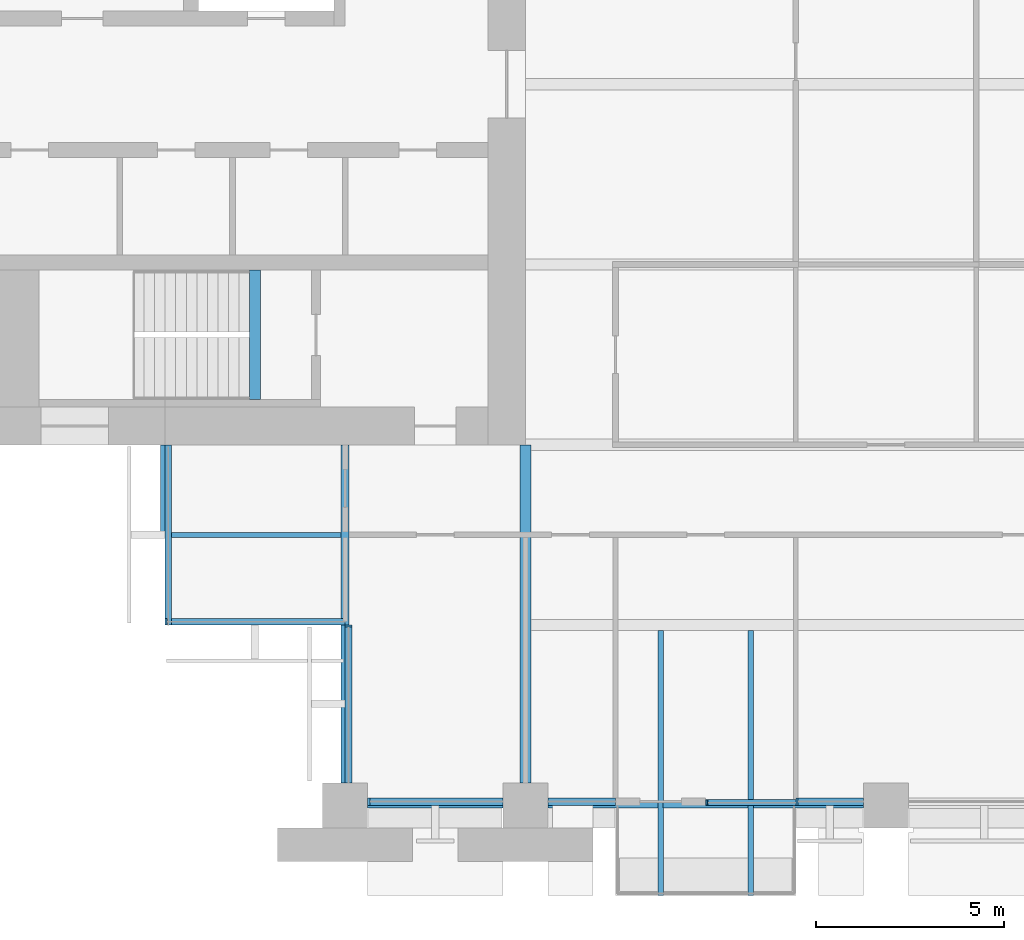
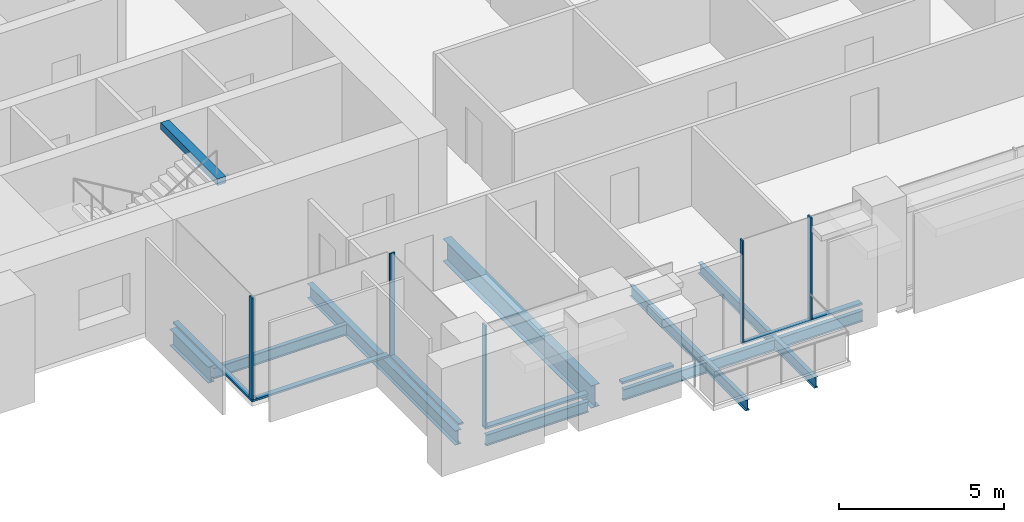
# One storey, part 2 of 15: 12 members, 11 beams, 6 elements without a shape of their own.
"""IFC4 building model written with IfcOpenShell, lengths in metres."""

from ifc_helpers import new_model, si_unit, direction, frame, origin, origin_2d, place, context, subcontext, project, spatial, rectangle, i_section, extrude, material, material_profile, profile_set, type_object, element, aggregate, save


model = new_model("IFC4")

# Units and contexts
model_context = context("Model", 3, precision=1e-05, world=origin(), true_north=direction((0.0, 1.0)))
body_context = subcontext(model_context, "Body", "Model", "MODEL_VIEW")
ifc_project = project(units=[si_unit("LENGTHUNIT", "METRE"), si_unit("AREAUNIT", "SQUARE_METRE"), si_unit("VOLUMEUNIT", "CUBIC_METRE"), si_unit("PLANEANGLEUNIT", "RADIAN"), si_unit("MASSUNIT", "GRAM", prefix="KILO")], contexts=[model_context])

# Site, building, storey
site_placement = place(None, origin())
site = spatial("IfcSite", under=ifc_project, at=site_placement, CompositionType="ELEMENT")
building_placement = place(site_placement, origin())
building = spatial("IfcBuilding", under=site, at=building_placement, Name="Baori Bourse Tower", CompositionType="ELEMENT")
storey_placement = place(building_placement, frame((0.0, 0.0, 128.10009765625)))
storey = spatial("IfcBuildingStorey", under=building, at=storey_placement, Name="L27", CompositionType="ELEMENT", Elevation=128.10009765625)

# Beams
ifc_material_1 = material(Name="Steel A992 Gr 50", Category="steel")
ifc_material_profile_1 = material_profile(ifc_material_1, i_section(OverallWidth=0.140380859375, OverallDepth=0.40380859375, WebThickness=0.007080078125, FlangeThickness=0.01123046875, at=origin_2d()), Name="W16x31")
ifc_profile_set_1 = profile_set([ifc_material_profile_1], Name="Steel A992 Gr 50")
beam_type_1 = type_object("IfcBeamType", Name="Balcony beam W16x31", PredefinedType="BEAM", material=ifc_profile_set_1)
for number, where, z_axis, x_axis, name in (
    (1, (22.800048828125, -2.39990234375, -0.362060546875), (0.0, 1.0, 0.0), (-1.0, 0.0, 0.0), "Balcony beam L27"),
    (2, (25.199951171875, -2.39990234375, -0.362060546875), (0.0, 1.0, 0.0), (-1.0, 0.0, 0.0), "Balcony beam L27"),
):
    element("IfcBeam", number, at=place(storey_placement, frame(where, z_axis=z_axis, x_axis=x_axis)), inside=storey, type_object=beam_type_1, Name=name, PredefinedType="BEAM", context=body_context, shape_type="SweptSolid", body=[
        extrude(i_section(OverallWidth=0.140380859375, OverallDepth=0.40380859375, WebThickness=0.007080078125, FlangeThickness=0.01123046875, at=origin_2d()), origin(), (0.0, 0.0, 1.0), 7.050048828125),
    ])

# Curtain wall, member
ifc_material_2 = material(Name="Pale anodised aluminium", Category="aluminium")
curtain_wall_type_1 = type_object("IfcCurtainWallType", Name="CW1 Curtain wall", PredefinedType="NOTDEFINED", material=ifc_material_2)
curtain_wall_1_placement = place(storey_placement, origin())
curtain_wall_1 = element("IfcCurtainWall", 3, at=curtain_wall_1_placement, inside=storey, type_object=curtain_wall_type_1, Name="Curtain wall CW1 L27 13", PredefinedType="NOTDEFINED")
ifc_material_3 = material(Name="Pale anodised aluminium", Category="aluminium")
ifc_material_profile_2 = material_profile(ifc_material_3, rectangle(XDim=0.199951171875, YDim=0.06005859375, at=origin_2d()), Name="Mullion 60x200")
ifc_profile_set_2 = profile_set([ifc_material_profile_2], Name="Pale anodised aluminium")
member_type_1 = type_object("IfcMemberType", Name="CW1 Curtain wall mullion", PredefinedType="MULLION", material=ifc_profile_set_2)
member_1_placement = place(storey_placement, frame((15.030029296875, 0.10009765625, 0.079833984375), z_axis=(0.0, 0.0, 1.0), x_axis=(0.0, 1.0, 0.0)))
member_1 = element("IfcMember", 4, at=member_1_placement, type_object=member_type_1, Name="Curtain wall CW1 mullion", PredefinedType="MULLION", context=body_context, shape_type="SweptSolid", body=[
    extrude(rectangle(XDim=0.199951171875, YDim=0.06005859375, at=origin_2d()), origin(), (0.0, 0.0, 1.0), 3.760009765625),
])

curtain_wall_2_placement = place(storey_placement, origin())
curtain_wall_2 = element("IfcCurtainWall", 5, at=curtain_wall_2_placement, inside=storey, type_object=curtain_wall_type_1, Name="Curtain wall CW1 L27 15", PredefinedType="NOTDEFINED")
member_2_placement = place(storey_placement, frame((26.429931640625, 0.10009765625, 0.079833984375), z_axis=(0.0, 0.0, 1.0), x_axis=(0.0, 1.0, 0.0)))
member_2 = element("IfcMember", 6, at=member_2_placement, type_object=member_type_1, Name="Curtain wall CW1 mullion", PredefinedType="MULLION", context=body_context, shape_type="SweptSolid", body=[
    extrude(rectangle(XDim=0.199951171875, YDim=0.06005859375, at=origin_2d()), origin(), (0.0, 0.0, 1.0), 3.760009765625),
])

# Member
ifc_material_4 = material(Name="Pale anodised aluminium", Category="aluminium")
ifc_material_profile_3 = material_profile(ifc_material_4, rectangle(XDim=0.199951171875, YDim=0.080078125, at=origin_2d()), Name="Transom 80x200")
ifc_profile_set_3 = profile_set([ifc_material_profile_3], Name="Pale anodised aluminium")
member_type_2 = type_object("IfcMemberType", Name="CW1 Curtain wall transom", PredefinedType="USERDEFINED", material=ifc_profile_set_3)
member_3_placement = place(storey_placement, frame((15.0, 0.10009765625, 0.039794921875), z_axis=(1.0, 0.0, 0.0), x_axis=(0.0, 1.0, 0.0)))
member_3 = element("IfcMember", 7, at=member_3_placement, type_object=member_type_2, Name="Curtain wall CW1 sill rail", ObjectType="TRANSOM", PredefinedType="USERDEFINED", context=body_context, shape_type="SweptSolid", body=[
    extrude(rectangle(XDim=0.199951171875, YDim=0.080078125, at=origin_2d()), origin(), (0.0, 0.0, 1.0), 3.60009765625),
])

member_4_placement = place(storey_placement, frame((19.800048828125, 0.10009765625, 0.039794921875), z_axis=(1.0, 0.0, 0.0), x_axis=(0.0, 1.0, 0.0)))
member_4 = element("IfcMember", 8, at=member_4_placement, type_object=member_type_2, Name="Curtain wall CW1 sill rail", ObjectType="TRANSOM", PredefinedType="USERDEFINED", context=body_context, shape_type="SweptSolid", body=[
    extrude(rectangle(XDim=0.199951171875, YDim=0.080078125, at=origin_2d()), origin(), (0.0, 0.0, 1.0), 1.800048828125),
])

aggregate(curtain_wall_1, [member_3, member_1, member_4])

member_5_placement = place(storey_placement, frame((26.39990234375, 0.10009765625, 0.039794921875), z_axis=(1.0, 0.0, 0.0), x_axis=(0.0, 1.0, 0.0)))
member_5 = element("IfcMember", 9, at=member_5_placement, type_object=member_type_2, Name="Curtain wall CW1 sill rail", ObjectType="TRANSOM", PredefinedType="USERDEFINED", context=body_context, shape_type="SweptSolid", body=[
    extrude(rectangle(XDim=0.199951171875, YDim=0.080078125, at=origin_2d()), origin(), (0.0, 0.0, 1.0), 1.800048828125),
])

aggregate(curtain_wall_2, [member_5, member_2])

# Curtain wall, member
ifc_material_5 = material(Name="Pale anodised aluminium", Category="aluminium")
curtain_wall_type_2 = type_object("IfcCurtainWallType", Name="CW2 Curtain wall", PredefinedType="NOTDEFINED", material=ifc_material_5)
curtain_wall_3_placement = place(storey_placement, origin())
curtain_wall_3 = element("IfcCurtainWall", 10, at=curtain_wall_3_placement, inside=storey, type_object=curtain_wall_type_2, Name="Curtain wall CW2 L27 11", PredefinedType="NOTDEFINED")
ifc_material_6 = material(Name="Pale anodised aluminium", Category="aluminium")
ifc_material_profile_4 = material_profile(ifc_material_6, rectangle(XDim=0.179931640625, YDim=0.054931640625, at=origin_2d()), Name="Mullion 55x180")
ifc_profile_set_4 = profile_set([ifc_material_profile_4], Name="Pale anodised aluminium")
member_type_3 = type_object("IfcMemberType", Name="CW2 Curtain wall mullion", PredefinedType="MULLION", material=ifc_profile_set_4)
member_6_placement = place(storey_placement, frame((9.62744140625, 4.889892578125, 0.06982421875), z_axis=(0.0, 0.0, 1.0), x_axis=(0.0, 1.0, 0.0)))
member_6 = element("IfcMember", 11, at=member_6_placement, type_object=member_type_3, Name="Curtain wall CW2 mullion", PredefinedType="MULLION", context=body_context, shape_type="SweptSolid", body=[
    extrude(rectangle(XDim=0.179931640625, YDim=0.054931640625, at=origin_2d()), origin(), (0.0, 0.0, 1.0), 3.77001953125),
])

curtain_wall_4_placement = place(storey_placement, origin())
curtain_wall_4 = element("IfcCurtainWall", 12, at=curtain_wall_4_placement, inside=storey, type_object=curtain_wall_type_2, Name="Curtain wall CW2 L27 12", PredefinedType="NOTDEFINED")
member_7_placement = place(storey_placement, frame((14.489990234375, 4.7724609375, 0.06982421875), z_axis=(0.0, 0.0, 1.0), x_axis=(1.0, 0.0, 0.0)))
member_7 = element("IfcMember", 13, at=member_7_placement, type_object=member_type_3, Name="Curtain wall CW2 mullion", PredefinedType="MULLION", context=body_context, shape_type="SweptSolid", body=[
    extrude(rectangle(XDim=0.179931640625, YDim=0.054931640625, at=origin_2d()), origin(), (0.0, 0.0, 1.0), 3.77001953125),
])

curtain_wall_5_placement = place(storey_placement, origin())
curtain_wall_5 = element("IfcCurtainWall", 14, at=curtain_wall_5_placement, inside=storey, type_object=curtain_wall_type_2, Name="Curtain wall CW2 L27 10", PredefinedType="NOTDEFINED")
ifc_material_7 = material(Name="Pale anodised aluminium", Category="aluminium")
ifc_material_profile_5 = material_profile(ifc_material_7, rectangle(XDim=0.179931640625, YDim=0.070068359375, at=origin_2d()), Name="Transom 70x180")
ifc_profile_set_5 = profile_set([ifc_material_profile_5], Name="Pale anodised aluminium")
member_type_4 = type_object("IfcMemberType", Name="CW2 Curtain wall transom", PredefinedType="USERDEFINED", material=ifc_profile_set_5)
member_8_placement = place(storey_placement, frame((9.68994140625, 9.60009765625, 0.034912109375), z_axis=(0.0, -1.0, 0.0), x_axis=(1.0, 0.0, 0.0)))
member_8 = element("IfcMember", 15, at=member_8_placement, type_object=member_type_4, Name="Curtain wall CW2 sill rail", ObjectType="TRANSOM", PredefinedType="USERDEFINED", context=body_context, shape_type="SweptSolid", body=[
    extrude(rectangle(XDim=0.179931640625, YDim=0.070068359375, at=origin_2d()), origin(), (0.0, 0.0, 1.0), 4.800048828125),
])
aggregate(curtain_wall_5, [member_8])

# Member
member_9_placement = place(storey_placement, frame((9.60009765625, 4.889892578125, 0.034912109375), z_axis=(1.0, 0.0, 0.0), x_axis=(0.0, 1.0, 0.0)))
member_9 = element("IfcMember", 16, at=member_9_placement, type_object=member_type_4, Name="Curtain wall CW2 sill rail", ObjectType="TRANSOM", PredefinedType="USERDEFINED", context=body_context, shape_type="SweptSolid", body=[
    extrude(rectangle(XDim=0.179931640625, YDim=0.070068359375, at=origin_2d()), origin(), (0.0, 0.0, 1.0), 4.7998046875),
])

aggregate(curtain_wall_3, [member_9, member_6])

member_10_placement = place(storey_placement, frame((14.489990234375, 4.800048828125, 0.034912109375), z_axis=(0.0, -1.0, 0.0), x_axis=(1.0, 0.0, 0.0)))
member_10 = element("IfcMember", 17, at=member_10_placement, type_object=member_type_4, Name="Curtain wall CW2 sill rail", ObjectType="TRANSOM", PredefinedType="USERDEFINED", context=body_context, shape_type="SweptSolid", body=[
    extrude(rectangle(XDim=0.179931640625, YDim=0.070068359375, at=origin_2d()), origin(), (0.0, 0.0, 1.0), 4.199951171875),
])

aggregate(curtain_wall_4, [member_10, member_7])

# Curtain wall, members
ifc_material_8 = material(Name="Pale anodised aluminium", Category="aluminium")
curtain_wall_type_3 = type_object("IfcCurtainWallType", Name="CW6 Curtain wall", PredefinedType="NOTDEFINED", material=ifc_material_8)
curtain_wall_6_placement = place(storey_placement, origin())
curtain_wall_6 = element("IfcCurtainWall", 18, at=curtain_wall_6_placement, inside=storey, type_object=curtain_wall_type_3, Name="Curtain wall CW6 L27 14", PredefinedType="NOTDEFINED")
ifc_material_9 = material(Name="Pale anodised aluminium", Category="aluminium")
ifc_material_profile_6 = material_profile(ifc_material_9, rectangle(XDim=0.14990234375, YDim=0.050048828125, at=origin_2d()), Name="Mullion 50x150")
ifc_profile_set_6 = profile_set([ifc_material_profile_6], Name="Pale anodised aluminium")
member_type_5 = type_object("IfcMemberType", Name="CW6 Curtain wall mullion", PredefinedType="MULLION", material=ifc_profile_set_6)
member_11_placement = place(storey_placement, frame((24.02490234375, 0.074951171875, 0.06494140625), z_axis=(0.0, 0.0, 1.0), x_axis=(0.0, 1.0, 0.0)))
member_11 = element("IfcMember", 19, at=member_11_placement, type_object=member_type_5, Name="Curtain wall CW6 mullion", PredefinedType="MULLION", context=body_context, shape_type="SweptSolid", body=[
    extrude(rectangle(XDim=0.14990234375, YDim=0.050048828125, at=origin_2d()), origin(), (0.0, 0.0, 1.0), 3.77490234375),
])
ifc_material_10 = material(Name="Pale anodised aluminium", Category="aluminium")
ifc_material_profile_7 = material_profile(ifc_material_10, rectangle(XDim=0.14990234375, YDim=0.06494140625, at=origin_2d()), Name="Transom 65x150")
ifc_profile_set_7 = profile_set([ifc_material_profile_7], Name="Pale anodised aluminium")
member_type_6 = type_object("IfcMemberType", Name="CW6 Curtain wall transom", PredefinedType="USERDEFINED", material=ifc_profile_set_7)
member_12_placement = place(storey_placement, frame((24.0, 0.074951171875, 0.032470703125), z_axis=(1.0, 0.0, 0.0), x_axis=(0.0, 1.0, 0.0)))
member_12 = element("IfcMember", 20, at=member_12_placement, type_object=member_type_6, Name="Curtain wall CW6 sill rail", ObjectType="TRANSOM", PredefinedType="USERDEFINED", context=body_context, shape_type="SweptSolid", body=[
    extrude(rectangle(XDim=0.14990234375, YDim=0.06494140625, at=origin_2d()), origin(), (0.0, 0.0, 1.0), 2.39990234375),
])
aggregate(curtain_wall_6, [member_12, member_11])

# Beams
ifc_material_11 = material(Name="Steel A992 Gr 50", Category="steel")
ifc_material_profile_8 = material_profile(ifc_material_11, i_section(OverallWidth=0.227783203125, OverallDepth=0.60205078125, WebThickness=0.010498046875, FlangeThickness=0.014892578125, at=origin_2d()), Name="W24x68")
ifc_profile_set_8 = profile_set([ifc_material_profile_8], Name="Steel A992 Gr 50")
beam_type_2 = type_object("IfcBeamType", Name="Core bracket W24x68", PredefinedType="BEAM", material=ifc_profile_set_8)
beam_1_placement = place(storey_placement, frame((9.60009765625, 7.270263671875, -0.461181640625), z_axis=(0.0, 1.0, 0.0), x_axis=(-1.0, 0.0, 0.0)))
element("IfcBeam", 21, at=beam_1_placement, inside=storey, type_object=beam_type_2, Name="Core bracket L27", PredefinedType="BEAM", context=body_context, shape_type="SweptSolid", body=[
    extrude(i_section(OverallWidth=0.227783203125, OverallDepth=0.60205078125, WebThickness=0.010498046875, FlangeThickness=0.014892578125, at=origin_2d()), origin(), (0.0, 0.0, 1.0), 2.329833984375),
])
ifc_material_12 = material(Name="Steel A992 Gr 50", Category="steel")
ifc_material_profile_9 = material_profile(ifc_material_12, i_section(OverallWidth=0.140380859375, OverallDepth=0.40380859375, WebThickness=0.007080078125, FlangeThickness=0.01123046875, at=origin_2d()), Name="W16x31")
ifc_profile_set_9 = profile_set([ifc_material_profile_9], Name="Steel A992 Gr 50")
beam_type_3 = type_object("IfcBeamType", Name="Edge beam W16x31", PredefinedType="BEAM", material=ifc_profile_set_9)
beam_2_placement = place(storey_placement, frame((15.0, 0.0, -0.362060546875), z_axis=(1.0, 0.0, 0.0), x_axis=(0.0, 1.0, 0.0)))
element("IfcBeam", 22, at=beam_2_placement, inside=storey, type_object=beam_type_3, Name="Edge beam L27", PredefinedType="BEAM", context=body_context, shape_type="SweptSolid", body=[
    extrude(i_section(OverallWidth=0.140380859375, OverallDepth=0.40380859375, WebThickness=0.007080078125, FlangeThickness=0.01123046875, at=origin_2d()), origin(), (0.0, 0.0, 1.0), 3.60009765625),
])
beam_3_placement = place(storey_placement, frame((19.800048828125, 0.0, -0.362060546875), z_axis=(1.0, 0.0, 0.0), x_axis=(0.0, 1.0, 0.0)))
element("IfcBeam", 23, at=beam_3_placement, inside=storey, type_object=beam_type_3, Name="Edge beam L27", PredefinedType="BEAM", context=body_context, shape_type="SweptSolid", body=[
    extrude(i_section(OverallWidth=0.140380859375, OverallDepth=0.40380859375, WebThickness=0.007080078125, FlangeThickness=0.01123046875, at=origin_2d()), origin(), (0.0, 0.0, 1.0), 2.9296875),
])
beam_4_placement = place(storey_placement, frame((22.8701171875, 0.0, -0.362060546875), z_axis=(1.0, 0.0, 0.0), x_axis=(0.0, 1.0, 0.0)))
element("IfcBeam", 24, at=beam_4_placement, inside=storey, type_object=beam_type_3, Name="Edge beam L27", PredefinedType="BEAM", context=body_context, shape_type="SweptSolid", body=[
    extrude(i_section(OverallWidth=0.140380859375, OverallDepth=0.40380859375, WebThickness=0.007080078125, FlangeThickness=0.01123046875, at=origin_2d()), origin(), (0.0, 0.0, 1.0), 2.259765625),
])
beam_5_placement = place(storey_placement, frame((25.270263671875, 0.0, -0.362060546875), z_axis=(1.0, 0.0, 0.0), x_axis=(0.0, 1.0, 0.0)))
element("IfcBeam", 25, at=beam_5_placement, inside=storey, type_object=beam_type_3, Name="Edge beam L27", PredefinedType="BEAM", context=body_context, shape_type="SweptSolid", body=[
    extrude(i_section(OverallWidth=0.140380859375, OverallDepth=0.40380859375, WebThickness=0.007080078125, FlangeThickness=0.01123046875, at=origin_2d()), origin(), (0.0, 0.0, 1.0), 2.9296875),
])
ifc_material_13 = material(Name="Steel A992 Gr 50", Category="steel")
ifc_material_profile_10 = material_profile(ifc_material_13, i_section(OverallWidth=0.209228515625, OverallDepth=0.533447265625, WebThickness=0.01025390625, FlangeThickness=0.015625, at=origin_2d()), Name="W21x62")
ifc_profile_set_10 = profile_set([ifc_material_profile_10], Name="Steel A992 Gr 50")
beam_type_4 = type_object("IfcBeamType", Name="Floor beam W21x62", PredefinedType="BEAM", material=ifc_profile_set_10)
beam_6_placement = place(storey_placement, frame((14.39990234375, 0.60009765625, -0.4267578125), z_axis=(0.0, 1.0, 0.0), x_axis=(-1.0, 0.0, 0.0)))
element("IfcBeam", 26, at=beam_6_placement, inside=storey, type_object=beam_type_4, Name="Floor beam L27", PredefinedType="BEAM", context=body_context, shape_type="SweptSolid", body=[
    extrude(i_section(OverallWidth=0.209228515625, OverallDepth=0.533447265625, WebThickness=0.01025390625, FlangeThickness=0.015625, at=origin_2d()), origin(), (0.0, 0.0, 1.0), 9.0),
])
ifc_material_14 = material(Name="Steel A992 Gr 50", Category="steel")
ifc_material_profile_11 = material_profile(ifc_material_14, i_section(OverallWidth=0.2919921875, OverallDepth=0.835693359375, WebThickness=0.013916015625, FlangeThickness=0.018798828125, at=origin_2d()), Name="W33x118")
ifc_profile_set_11 = profile_set([ifc_material_profile_11], Name="Steel A992 Gr 50")
beam_type_5 = type_object("IfcBeamType", Name="Girder W33x118", PredefinedType="BEAM", material=ifc_profile_set_11)
beam_7_placement = place(storey_placement, frame((19.199951171875, 0.60009765625, -0.577880859375), z_axis=(0.0, 1.0, 0.0), x_axis=(-1.0, 0.0, 0.0)))
element("IfcBeam", 27, at=beam_7_placement, inside=storey, type_object=beam_type_5, Name="Girder L27", PredefinedType="BEAM", context=body_context, shape_type="SweptSolid", body=[
    extrude(i_section(OverallWidth=0.2919921875, OverallDepth=0.835693359375, WebThickness=0.013916015625, FlangeThickness=0.018798828125, at=origin_2d()), origin(), (0.0, 0.0, 1.0), 9.0),
])
ifc_material_15 = material(Name="Concrete f'c 50 MPa", Category="concrete")
ifc_material_profile_12 = material_profile(ifc_material_15, rectangle(XDim=0.300048828125, YDim=0.25, at=origin_2d()), Name="RC 300x250")
ifc_profile_set_12 = profile_set([ifc_material_profile_12], Name="Concrete f'c 50 MPa")
beam_type_6 = type_object("IfcBeamType", Name="Stair nib beam RC 300x250", PredefinedType="BEAM", material=ifc_profile_set_12)
beam_8_placement = place(storey_placement, frame((12.0, 10.800048828125, 3.71484375), z_axis=(0.0, 1.0, 0.0), x_axis=(-1.0, 0.0, 0.0)))
element("IfcBeam", 28, at=beam_8_placement, inside=storey, type_object=beam_type_6, Name="Stair WA nib beam L28", PredefinedType="BEAM", context=body_context, shape_type="SweptSolid", body=[
    extrude(rectangle(XDim=0.300048828125, YDim=0.25, at=origin_2d()), origin(), (0.0, 0.0, 1.0), 3.449951171875),
])
ifc_material_16 = material(Name="Steel A992 Gr 50", Category="steel")
ifc_material_profile_13 = material_profile(ifc_material_16, i_section(OverallWidth=0.140380859375, OverallDepth=0.40380859375, WebThickness=0.007080078125, FlangeThickness=0.01123046875, at=origin_2d()), Name="W16x31")
ifc_profile_set_13 = profile_set([ifc_material_profile_13], Name="Steel A992 Gr 50")
beam_type_7 = type_object("IfcBeamType", Name="Trimmer beam W16x31", PredefinedType="BEAM", material=ifc_profile_set_13)
beam_9_placement = place(storey_placement, frame((9.60009765625, 7.199951171875, -0.362060546875), z_axis=(1.0, 0.0, 0.0), x_axis=(0.0, 1.0, 0.0)))
element("IfcBeam", 29, at=beam_9_placement, inside=storey, type_object=beam_type_7, Name="Trimmer beam L27", PredefinedType="BEAM", context=body_context, shape_type="SweptSolid", body=[
    extrude(i_section(OverallWidth=0.140380859375, OverallDepth=0.40380859375, WebThickness=0.007080078125, FlangeThickness=0.01123046875, at=origin_2d()), origin(), (0.0, 0.0, 1.0), 4.6953125),
])

save(model, "model.ifc")
